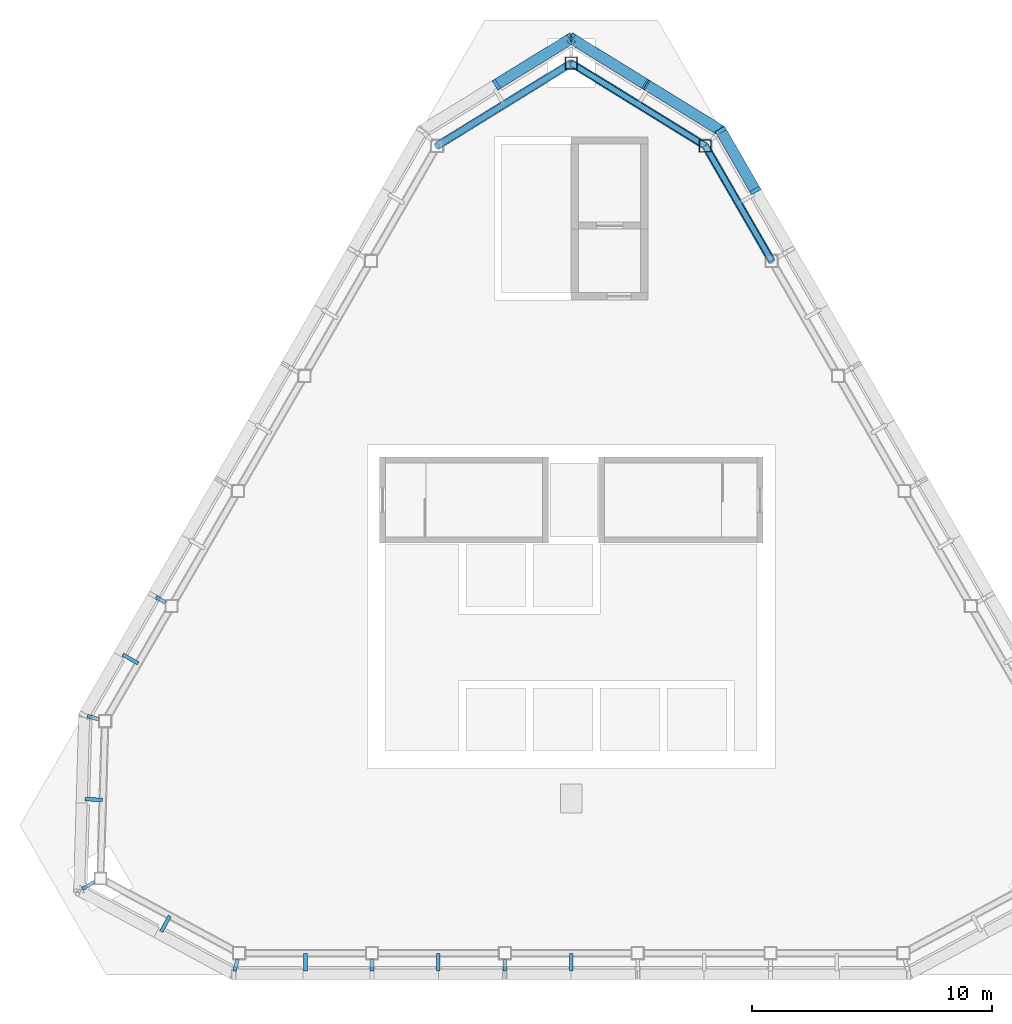
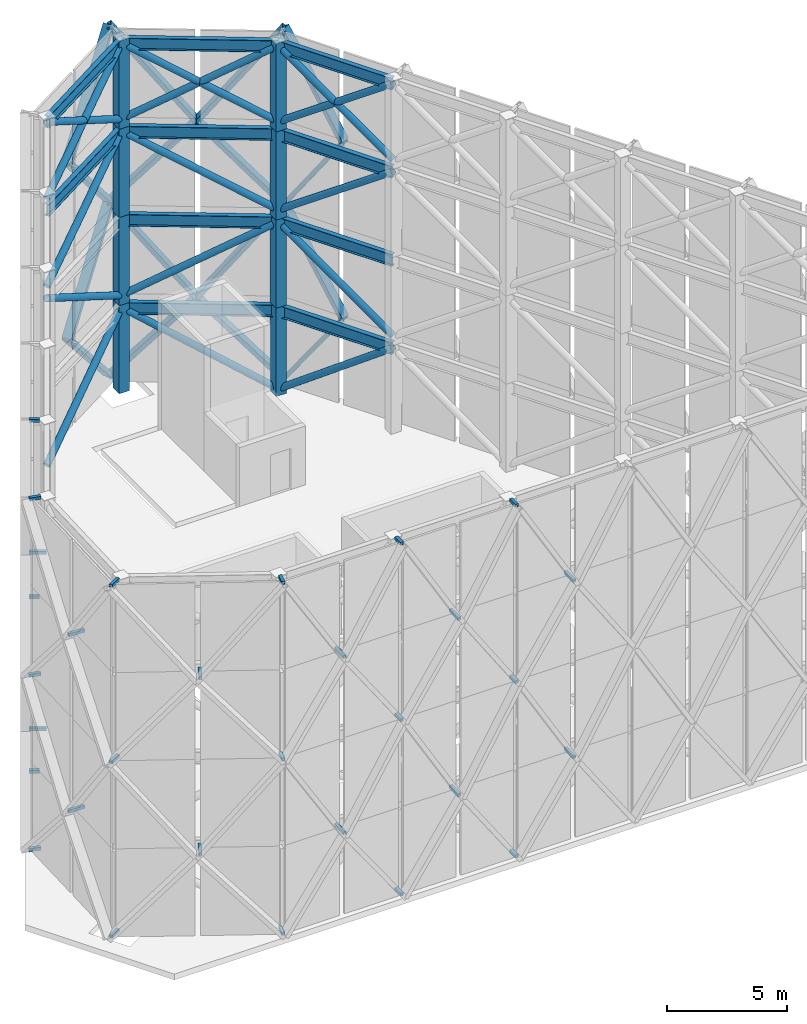
# One storey, part 6 of 12: 69 members, 10 beams.
"""IFC4 building model written with IfcOpenShell, lengths in metres."""

from ifc_helpers import new_model, si_unit, direction, frame, origin, origin_2d, place, context, subcontext, project, spatial, hollow_rectangle, hollow_circle, i_section, extrude, material, material_profile, profile_set, type_object, element, save


model = new_model("IFC4")

# Units and contexts
model_context = context("Model", 3, precision=1e-05, world=origin(), true_north=direction((0.0, 1.0)))
body_context = subcontext(model_context, "Body", "Model", "MODEL_VIEW")
ifc_project = project(units=[si_unit("LENGTHUNIT", "METRE"), si_unit("AREAUNIT", "SQUARE_METRE"), si_unit("VOLUMEUNIT", "CUBIC_METRE"), si_unit("PLANEANGLEUNIT", "RADIAN"), si_unit("MASSUNIT", "GRAM", prefix="KILO")], contexts=[model_context])

# Site, building, storey
site_placement = place(None, origin())
site = spatial("IfcSite", under=ifc_project, at=site_placement, CompositionType="ELEMENT")
building_placement = place(site_placement, origin())
building = spatial("IfcBuilding", under=site, at=building_placement, Name="Firuza Gate Tower and Library", CompositionType="ELEMENT")
storey_placement = place(building_placement, frame((0.0, 0.0, 339.60009765625)))
storey = spatial("IfcBuildingStorey", under=building, at=storey_placement, Name="Roof", CompositionType="ELEMENT", Elevation=339.60009765625)

# Members
ifc_material_1 = material(Name="Steel S355", Category="steel")
ifc_material_profile_1 = material_profile(ifc_material_1, hollow_rectangle(XDim=0.457275390625, YDim=0.203125, WallThickness=0.01171875, at=origin_2d()))
ifc_profile_set_1 = profile_set([ifc_material_profile_1], Name="Steel S355")
member_type_1 = type_object("IfcMemberType", Name="Crown lattice bar HSS203x457x13", PredefinedType="BRACE", material=ifc_profile_set_1)
member_1_placement = place(storey_placement, frame((82.68310546875, 92.364501953125, 4.198486328125), z_axis=(-0.287622027122, 0.498161545874, -0.817990613471), x_axis=(-0.866019137337, -0.500010853648, 0.0)))
element("IfcMember", 1, at=member_1_placement, inside=storey, type_object=member_type_1, Name="Crown lattice bar 14.1b", PredefinedType="BRACE", context=body_context, shape_type="SweptSolid", body=[
    extrude(hollow_rectangle(XDim=0.457275390625, YDim=0.203125, WallThickness=0.01171875, at=origin_2d()), origin(), (0.0, 0.0, 1.0), 5.010498046875),
])
member_2_placement = place(storey_placement, frame((82.68310546875, 92.364501953125, 4.198486328125), z_axis=(-0.257342311156, 0.445717057303, 0.85738628384), x_axis=(-0.866019137337, -0.500010853648, 0.0)))
element("IfcMember", 2, at=member_2_placement, inside=storey, type_object=member_type_1, Name="Crown lattice bar 14.2b", PredefinedType="BRACE", context=body_context, shape_type="SweptSolid", body=[
    extrude(hollow_rectangle(XDim=0.457275390625, YDim=0.203125, WallThickness=0.01171875, at=origin_2d()), origin(), (0.0, 0.0, 1.0), 5.60009765625),
])
member_3_placement = place(storey_placement, frame((82.68310546875, 92.364501953125, 13.198486328125), z_axis=(-0.282990630091, 0.490139963079, -0.82442654001), x_axis=(-0.866019137337, -0.500010853648, 0.0)))
element("IfcMember", 3, at=member_3_placement, inside=storey, type_object=member_type_1, Name="Crown lattice bar 14.3b", PredefinedType="BRACE", context=body_context, shape_type="SweptSolid", body=[
    extrude(hollow_rectangle(XDim=0.457275390625, YDim=0.203125, WallThickness=0.01171875, at=origin_2d()), origin(), (0.0, 0.0, 1.0), 5.092529296875),
])
member_4_placement = place(storey_placement, frame((82.68310546875, 92.364501953125, 13.198486328125), z_axis=(-0.257342311156, 0.445717057303, 0.85738628384), x_axis=(-0.866019137337, -0.500010853648, 0.0)))
element("IfcMember", 4, at=member_4_placement, inside=storey, type_object=member_type_1, Name="Crown lattice bar 14.4b", PredefinedType="BRACE", context=body_context, shape_type="SweptSolid", body=[
    extrude(hollow_rectangle(XDim=0.457275390625, YDim=0.203125, WallThickness=0.01171875, at=origin_2d()), origin(), (0.0, 0.0, 1.0), 5.60009765625),
])
for number, where, z_axis, x_axis, name in (
    (5, (81.241943359375, 94.860595703125, 0.099853515625), (-0.567454152769, 0.350158676136, 0.745241360924), (-0.525137077741, -0.85101765527, 0.0), "Crown lattice bar 15.1a"),
    (6, (78.12109375, 96.786376953125, 4.198486328125), (-0.567493068934, 0.350110906968, -0.745234170938), (-0.525059110087, -0.851065761804, 0.0), "Crown lattice bar 15.1b"),
):
    element("IfcMember", number, at=place(storey_placement, frame(where, z_axis=z_axis, x_axis=x_axis)), inside=storey, type_object=member_type_1, Name=name, PredefinedType="BRACE", context=body_context, shape_type="SweptSolid", body=[
        extrude(hollow_rectangle(XDim=0.457275390625, YDim=0.203125, WallThickness=0.01171875, at=origin_2d()), origin(), (0.0, 0.0, 1.0), 5.499755859375),
    ])
for number, where, z_axis, x_axis, name in (
    (7, (81.241943359375, 94.860595703125, 9.0), (-0.516546400492, 0.318745052576, -0.794720962097), (-0.525137077741, -0.85101765527, 0.0), "Crown lattice bar 15.2a"),
    (8, (78.12109375, 96.786376953125, 4.198486328125), (-0.516582679514, 0.318702095848, 0.79471460873), (-0.525059110087, -0.851065761804, 0.0), "Crown lattice bar 15.2b"),
):
    element("IfcMember", number, at=place(storey_placement, frame(where, z_axis=z_axis, x_axis=x_axis)), inside=storey, type_object=member_type_1, Name=name, PredefinedType="BRACE", context=body_context, shape_type="SweptSolid", body=[
        extrude(hollow_rectangle(XDim=0.457275390625, YDim=0.203125, WallThickness=0.01171875, at=origin_2d()), origin(), (0.0, 0.0, 1.0), 6.041748046875),
    ])
member_5_placement = place(storey_placement, frame((81.241943359375, 94.860595703125, 9.0), z_axis=(-0.559838701503, 0.345459413084, 0.753152323379), x_axis=(-0.525137077741, -0.85101765527, 0.0)))
element("IfcMember", 9, at=member_5_placement, inside=storey, type_object=member_type_1, Name="Crown lattice bar 15.3a", PredefinedType="BRACE", context=body_context, shape_type="SweptSolid", body=[
    extrude(hollow_rectangle(XDim=0.457275390625, YDim=0.203125, WallThickness=0.01171875, at=origin_2d()), origin(), (0.0, 0.0, 1.0), 5.574462890625),
])
member_6_placement = place(storey_placement, frame((78.12109375, 96.786376953125, 13.198486328125), z_axis=(-0.559877239408, 0.345412373843, -0.753145250791), x_axis=(-0.525059110087, -0.851065761804, 0.0)))
element("IfcMember", 10, at=member_6_placement, inside=storey, type_object=member_type_1, Name="Crown lattice bar 15.3b", PredefinedType="BRACE", context=body_context, shape_type="SweptSolid", body=[
    extrude(hollow_rectangle(XDim=0.457275390625, YDim=0.203125, WallThickness=0.01171875, at=origin_2d()), origin(), (0.0, 0.0, 1.0), 5.57470703125),
])
for number, where, z_axis, x_axis, name in (
    (11, (81.241943359375, 94.860595703125, 18.0), (-0.516546400492, 0.318745052576, -0.794720962097), (-0.525137077741, -0.85101765527, 0.0), "Crown lattice bar 15.4a"),
    (12, (78.12109375, 96.786376953125, 13.198486328125), (-0.516582679514, 0.318702095848, 0.79471460873), (-0.525059110087, -0.851065761804, 0.0), "Crown lattice bar 15.4b"),
):
    element("IfcMember", number, at=place(storey_placement, frame(where, z_axis=z_axis, x_axis=x_axis)), inside=storey, type_object=member_type_1, Name=name, PredefinedType="BRACE", context=body_context, shape_type="SweptSolid", body=[
        extrude(hollow_rectangle(XDim=0.457275390625, YDim=0.203125, WallThickness=0.01171875, at=origin_2d()), origin(), (0.0, 0.0, 1.0), 6.041748046875),
    ])
member_7_placement = place(storey_placement, frame((75.0, 98.7119140625, 0.099853515625), z_axis=(-0.567493068934, -0.350110906968, 0.745234170938), x_axis=(0.525059110087, -0.851065761804, 0.0)))
element("IfcMember", 13, at=member_7_placement, inside=storey, type_object=member_type_1, Name="Crown lattice bar 16.1a", PredefinedType="BRACE", context=body_context, shape_type="SweptSolid", body=[
    extrude(hollow_rectangle(XDim=0.457275390625, YDim=0.203125, WallThickness=0.01171875, at=origin_2d()), origin(), (0.0, 0.0, 1.0), 5.499755859375),
])
member_8_placement = place(storey_placement, frame((75.0, 98.7119140625, 9.0), z_axis=(-0.516582679514, -0.318702095848, -0.79471460873), x_axis=(0.525059110087, -0.851065761804, 0.0)))
element("IfcMember", 14, at=member_8_placement, inside=storey, type_object=member_type_1, Name="Crown lattice bar 16.2a", PredefinedType="BRACE", context=body_context, shape_type="SweptSolid", body=[
    extrude(hollow_rectangle(XDim=0.457275390625, YDim=0.203125, WallThickness=0.01171875, at=origin_2d()), origin(), (0.0, 0.0, 1.0), 6.041748046875),
])
member_9_placement = place(storey_placement, frame((75.0, 98.7119140625, 9.0), z_axis=(-0.559877239408, -0.345412373843, 0.753145250791), x_axis=(0.525059110087, -0.851065761804, 0.0)))
element("IfcMember", 15, at=member_9_placement, inside=storey, type_object=member_type_1, Name="Crown lattice bar 16.3a", PredefinedType="BRACE", context=body_context, shape_type="SweptSolid", body=[
    extrude(hollow_rectangle(XDim=0.457275390625, YDim=0.203125, WallThickness=0.01171875, at=origin_2d()), origin(), (0.0, 0.0, 1.0), 5.57470703125),
])
member_10_placement = place(storey_placement, frame((75.0, 98.7119140625, 18.0), z_axis=(-0.516582679514, -0.318702095848, -0.79471460873), x_axis=(0.525059110087, -0.851065761804, 0.0)))
element("IfcMember", 16, at=member_10_placement, inside=storey, type_object=member_type_1, Name="Crown lattice bar 16.4a", PredefinedType="BRACE", context=body_context, shape_type="SweptSolid", body=[
    extrude(hollow_rectangle(XDim=0.457275390625, YDim=0.203125, WallThickness=0.01171875, at=origin_2d()), origin(), (0.0, 0.0, 1.0), 6.041748046875),
])
ifc_material_2 = material(Name="Steel S355", Category="steel")
ifc_material_profile_2 = material_profile(ifc_material_2, hollow_rectangle(XDim=0.15234375, YDim=0.15234375, WallThickness=0.0087890625, at=origin_2d()))
ifc_profile_set_2 = profile_set([ifc_material_profile_2], Name="Steel S355")
member_type_2 = type_object("IfcMemberType", Name="Crown lattice node stub HSS152x152x9.5", PredefinedType="BRACE", material=ifc_profile_set_2)
for number, where, z_axis, x_axis, name in (
    (17, (55.296875, 70.30029296875, 0.099853515625), (-0.96211834795, 0.272632141426, 0.0), (-0.272632141426, -0.96211834795, 0.0), "Crown lattice node stub 1.0"),
    (18, (55.296875, 70.30029296875, 9.0), (-0.96211834795, 0.272632141426, 0.0), (-0.272632141426, -0.96211834795, 0.0), "Crown lattice node stub 1.2"),
    (19, (55.296875, 70.30029296875, 18.0), (-0.96211834795, 0.272632141426, 0.0), (-0.272632141426, -0.96211834795, 0.0), "Crown lattice node stub 1.4"),
):
    element("IfcMember", number, at=place(storey_placement, frame(where, z_axis=z_axis, x_axis=x_axis)), inside=storey, type_object=member_type_2, Name=name, PredefinedType="BRACE", context=body_context, shape_type="SweptSolid", body=[
        extrude(hollow_rectangle(XDim=0.15234375, YDim=0.15234375, WallThickness=0.0087890625, at=origin_2d()), origin(), (0.0, 0.0, 1.0), 0.509521484375),
    ])
for number, where, z_axis, x_axis, name in (
    (20, (55.44873046875, 66.9443359375, 4.198486328125), (-0.999573408448, 0.029206182978, 0.0), (-0.029206182978, -0.999573408448, 0.0), "Crown lattice node stub 1.1m"),
    (21, (55.44873046875, 66.9443359375, 13.198486328125), (-0.999573408448, 0.029206182978, 0.0), (-0.029206182978, -0.999573408448, 0.0), "Crown lattice node stub 1.3m"),
):
    element("IfcMember", number, at=place(storey_placement, frame(where, z_axis=z_axis, x_axis=x_axis)), inside=storey, type_object=member_type_2, Name=name, PredefinedType="BRACE", context=body_context, shape_type="SweptSolid", body=[
        extrude(hollow_rectangle(XDim=0.15234375, YDim=0.15234375, WallThickness=0.0087890625, at=origin_2d()), origin(), (0.0, 0.0, 1.0), 0.743896484375),
    ])
for number, where, z_axis, x_axis, name in (
    (22, (55.104736328125, 63.513427734375, 0.099853515625), (-0.865984991198, -0.500069990121, 0.0), (0.500069990121, -0.865984991198, 0.0), "Crown lattice node stub 2.0"),
    (23, (55.104736328125, 63.513427734375, 9.0), (-0.865984991198, -0.500069990121, 0.0), (0.500069990121, -0.865984991198, 0.0), "Crown lattice node stub 2.2"),
    (24, (55.104736328125, 63.513427734375, 18.0), (-0.865984991198, -0.500069990121, 0.0), (0.500069990121, -0.865984991198, 0.0), "Crown lattice node stub 2.4"),
):
    element("IfcMember", number, at=place(storey_placement, frame(where, z_axis=z_axis, x_axis=x_axis)), inside=storey, type_object=member_type_2, Name=name, PredefinedType="BRACE", context=body_context, shape_type="SweptSolid", body=[
        extrude(hollow_rectangle(XDim=0.15234375, YDim=0.15234375, WallThickness=0.0087890625, at=origin_2d()), origin(), (0.0, 0.0, 1.0), 0.587890625),
    ])
for number, where, z_axis, x_axis, name in (
    (25, (58.248046875, 62.095947265625, 4.198486328125), (-0.474569465347, -0.880218053984, 0.0), (0.880218053984, -0.474569465347, 0.0), "Crown lattice node stub 2.1m"),
    (26, (58.248046875, 62.095947265625, 13.198486328125), (-0.474569465347, -0.880218053984, 0.0), (0.880218053984, -0.474569465347, 0.0), "Crown lattice node stub 2.3m"),
):
    element("IfcMember", number, at=place(storey_placement, frame(where, z_axis=z_axis, x_axis=x_axis)), inside=storey, type_object=member_type_2, Name=name, PredefinedType="BRACE", context=body_context, shape_type="SweptSolid", body=[
        extrude(hollow_rectangle(XDim=0.15234375, YDim=0.15234375, WallThickness=0.0087890625, at=origin_2d()), origin(), (0.0, 0.0, 1.0), 0.743896484375),
    ])
for number, where, z_axis, x_axis, name in (
    (27, (61.078857421875, 60.28857421875, 0.099853515625), (-0.24478040972, -0.969578542985, 0.0), (0.969578542985, -0.24478040972, 0.0), "Crown lattice node stub 3.0"),
    (28, (61.078857421875, 60.28857421875, 9.0), (-0.24478040972, -0.969578542985, 0.0), (0.969578542985, -0.24478040972, 0.0), "Crown lattice node stub 3.2"),
    (29, (61.078857421875, 60.28857421875, 18.0), (-0.24478040972, -0.969578542985, 0.0), (0.969578542985, -0.24478040972, 0.0), "Crown lattice node stub 3.4"),
):
    element("IfcMember", number, at=place(storey_placement, frame(where, z_axis=z_axis, x_axis=x_axis)), inside=storey, type_object=member_type_2, Name=name, PredefinedType="BRACE", context=body_context, shape_type="SweptSolid", body=[
        extrude(hollow_rectangle(XDim=0.15234375, YDim=0.15234375, WallThickness=0.0087890625, at=origin_2d()), origin(), (0.0, 0.0, 1.0), 0.51171875),
    ])
for number, where, z_axis, x_axis, name in (
    (30, (63.914306640625, 60.536376953125, 4.198486328125), (0.0, -1.0, 0.0), (1.0, 0.0, 0.0), "Crown lattice node stub 3.1m"),
    (31, (63.914306640625, 60.536376953125, 13.198486328125), (0.0, -1.0, 0.0), (1.0, 0.0, 0.0), "Crown lattice node stub 3.3m"),
):
    element("IfcMember", number, at=place(storey_placement, frame(where, z_axis=z_axis, x_axis=x_axis)), inside=storey, type_object=member_type_2, Name=name, PredefinedType="BRACE", context=body_context, shape_type="SweptSolid", body=[
        extrude(hollow_rectangle(XDim=0.15234375, YDim=0.15234375, WallThickness=0.0087890625, at=origin_2d()), origin(), (0.0, 0.0, 1.0), 0.743896484375),
    ])
for number, where, z_axis, x_axis, name in (
    (32, (66.685791015625, 60.28857421875, 0.099853515625), (0.0, -1.0, 0.0), (1.0, 0.0, 0.0), "Crown lattice node stub 4.0"),
    (33, (66.685791015625, 60.28857421875, 9.0), (0.0, -1.0, 0.0), (1.0, 0.0, 0.0), "Crown lattice node stub 4.2"),
    (34, (66.685791015625, 60.28857421875, 18.0), (0.0, -1.0, 0.0), (1.0, 0.0, 0.0), "Crown lattice node stub 4.4"),
):
    element("IfcMember", number, at=place(storey_placement, frame(where, z_axis=z_axis, x_axis=x_axis)), inside=storey, type_object=member_type_2, Name=name, PredefinedType="BRACE", context=body_context, shape_type="SweptSolid", body=[
        extrude(hollow_rectangle(XDim=0.15234375, YDim=0.15234375, WallThickness=0.0087890625, at=origin_2d()), origin(), (0.0, 0.0, 1.0), 0.49609375),
    ])
for number, where, z_axis, x_axis, name in (
    (35, (69.45703125, 60.536376953125, 4.198486328125), (0.0, -1.0, 0.0), (1.0, 0.0, 0.0), "Crown lattice node stub 4.1m"),
    (36, (69.45703125, 60.536376953125, 13.198486328125), (0.0, -1.0, 0.0), (1.0, 0.0, 0.0), "Crown lattice node stub 4.3m"),
):
    element("IfcMember", number, at=place(storey_placement, frame(where, z_axis=z_axis, x_axis=x_axis)), inside=storey, type_object=member_type_2, Name=name, PredefinedType="BRACE", context=body_context, shape_type="SweptSolid", body=[
        extrude(hollow_rectangle(XDim=0.15234375, YDim=0.15234375, WallThickness=0.0087890625, at=origin_2d()), origin(), (0.0, 0.0, 1.0), 0.743896484375),
    ])
for number, where, z_axis, x_axis, name in (
    (37, (72.228515625, 60.28857421875, 0.099853515625), (0.0, -1.0, 0.0), (1.0, 0.0, 0.0), "Crown lattice node stub 5.0"),
    (38, (72.228515625, 60.28857421875, 9.0), (0.0, -1.0, 0.0), (1.0, 0.0, 0.0), "Crown lattice node stub 5.2"),
    (39, (72.228515625, 60.28857421875, 18.0), (0.0, -1.0, 0.0), (1.0, 0.0, 0.0), "Crown lattice node stub 5.4"),
):
    element("IfcMember", number, at=place(storey_placement, frame(where, z_axis=z_axis, x_axis=x_axis)), inside=storey, type_object=member_type_2, Name=name, PredefinedType="BRACE", context=body_context, shape_type="SweptSolid", body=[
        extrude(hollow_rectangle(XDim=0.15234375, YDim=0.15234375, WallThickness=0.0087890625, at=origin_2d()), origin(), (0.0, 0.0, 1.0), 0.49609375),
    ])
for number, where, z_axis, x_axis, name in (
    (40, (75.0, 60.536376953125, 4.198486328125), (0.0, -1.0, 0.0), (1.0, 0.0, 0.0), "Crown lattice node stub 5.1m"),
    (41, (75.0, 60.536376953125, 13.198486328125), (0.0, -1.0, 0.0), (1.0, 0.0, 0.0), "Crown lattice node stub 5.3m"),
):
    element("IfcMember", number, at=place(storey_placement, frame(where, z_axis=z_axis, x_axis=x_axis)), inside=storey, type_object=member_type_2, Name=name, PredefinedType="BRACE", context=body_context, shape_type="SweptSolid", body=[
        extrude(hollow_rectangle(XDim=0.15234375, YDim=0.15234375, WallThickness=0.0087890625, at=origin_2d()), origin(), (0.0, 0.0, 1.0), 0.743896484375),
    ])
for number, where, z_axis, x_axis, name in (
    (42, (58.068359375, 75.175048828125, 0.099853515625), (-0.86609656662, 0.499876722092, 0.0), (-0.499876722092, -0.86609656662, 0.0), "Crown lattice node stub 21.0"),
    (43, (58.068359375, 75.175048828125, 9.0), (-0.86609656662, 0.499876722092, 0.0), (-0.499876722092, -0.86609656662, 0.0), "Crown lattice node stub 21.2"),
    (44, (58.068359375, 75.175048828125, 18.0), (-0.86609656662, 0.499876722092, 0.0), (-0.499876722092, -0.86609656662, 0.0), "Crown lattice node stub 21.4"),
):
    element("IfcMember", number, at=place(storey_placement, frame(where, z_axis=z_axis, x_axis=x_axis)), inside=storey, type_object=member_type_2, Name=name, PredefinedType="BRACE", context=body_context, shape_type="SweptSolid", body=[
        extrude(hollow_rectangle(XDim=0.15234375, YDim=0.15234375, WallThickness=0.0087890625, at=origin_2d()), origin(), (0.0, 0.0, 1.0), 0.45654296875),
    ])
for number, where, z_axis, x_axis, name in (
    (45, (56.931396484375, 72.63134765625, 4.198486328125), (-0.866114546653, 0.499845568227, 0.0), (-0.499845568227, -0.866114546653, 0.0), "Crown lattice node stub 21.1m"),
    (46, (56.931396484375, 72.63134765625, 13.198486328125), (-0.866114546653, 0.499845568227, 0.0), (-0.499845568227, -0.866114546653, 0.0), "Crown lattice node stub 21.3m"),
):
    element("IfcMember", number, at=place(storey_placement, frame(where, z_axis=z_axis, x_axis=x_axis)), inside=storey, type_object=member_type_2, Name=name, PredefinedType="BRACE", context=body_context, shape_type="SweptSolid", body=[
        extrude(hollow_rectangle(XDim=0.15234375, YDim=0.15234375, WallThickness=0.0087890625, at=origin_2d()), origin(), (0.0, 0.0, 1.0), 0.743896484375),
    ])
ifc_material_3 = material(Name="Steel S355", Category="steel")
ifc_material_profile_3 = material_profile(ifc_material_3, hollow_circle(Radius=0.161865234375, WallThickness=0.01171875, at=origin_2d()))
ifc_profile_set_3 = profile_set([ifc_material_profile_3], Name="Steel S355")
member_type_3 = type_object("IfcMemberType", Name="HSS324x13 CROWN FRAME brace", PredefinedType="BRACE", material=ifc_profile_set_3)
member_11_placement = place(storey_placement, frame((80.592041015625, 94.2294921875, 0.161865234375), z_axis=(0.40418408875, -0.700058804881, 0.588687431589), x_axis=(0.86602275259, 0.500004591975, 0.0)))
element("IfcMember", 47, at=member_11_placement, inside=storey, type_object=member_type_3, Name="CROWN FRAME brace tier 1 14", PredefinedType="BRACE", context=body_context, shape_type="SweptSolid", body=[
    extrude(hollow_circle(Radius=0.161865234375, WallThickness=0.01171875, at=origin_2d()), origin(), (0.0, 0.0, 1.0), 6.85693359375),
])
for number, where, z_axis, x_axis, name in (
    (48, (80.592041015625, 94.2294921875, 0.161865234375), (-0.725144800335, 0.447402153169, 0.523446589336), (-0.525083851776, -0.851050497094, 0.0), "CROWN FRAME brace tier 1 15"),
    (49, (69.407958984375, 94.2294921875, 0.161865234375), (0.725144800335, 0.447402153169, 0.523446589336), (-0.525083851776, 0.851050497094, 0.0), "CROWN FRAME brace tier 1 16"),
):
    element("IfcMember", number, at=place(storey_placement, frame(where, z_axis=z_axis, x_axis=x_axis)), inside=storey, type_object=member_type_3, Name=name, PredefinedType="BRACE", context=body_context, shape_type="SweptSolid", body=[
        extrude(hollow_circle(Radius=0.161865234375, WallThickness=0.01171875, at=origin_2d()), origin(), (0.0, 0.0, 1.0), 7.711669921875),
    ])
member_12_placement = place(storey_placement, frame((83.363525390625, 89.42919921875, 4.801513671875), z_axis=(-0.409031926637, 0.708455403588, 0.575138091347), x_axis=(-0.86602275259, -0.500004591975, 0.0)))
element("IfcMember", 50, at=member_12_placement, inside=storey, type_object=member_type_3, Name="CROWN FRAME brace tier 2 14", PredefinedType="BRACE", context=body_context, shape_type="SweptSolid", body=[
    extrude(hollow_circle(Radius=0.161865234375, WallThickness=0.01171875, at=origin_2d()), origin(), (0.0, 0.0, 1.0), 6.775634765625),
])
for number, where, z_axis, x_axis, name in (
    (51, (75.0, 97.6796875, 4.801513671875), (0.731995425468, -0.451628873727, 0.510111808833), (0.525083851776, 0.851050497094, 0.0), "CROWN FRAME brace tier 2 15"),
    (52, (75.0, 97.6796875, 4.801513671875), (-0.731995425468, -0.451628873727, 0.510111808833), (0.525083851776, -0.851050497094, 0.0), "CROWN FRAME brace tier 2 16"),
):
    element("IfcMember", number, at=place(storey_placement, frame(where, z_axis=z_axis, x_axis=x_axis)), inside=storey, type_object=member_type_3, Name=name, PredefinedType="BRACE", context=body_context, shape_type="SweptSolid", body=[
        extrude(hollow_circle(Radius=0.161865234375, WallThickness=0.01171875, at=origin_2d()), origin(), (0.0, 0.0, 1.0), 7.639404296875),
    ])
member_13_placement = place(storey_placement, frame((80.592041015625, 94.2294921875, 9.301513671875), z_axis=(0.409031926637, -0.708455403588, 0.575138091347), x_axis=(0.86602275259, 0.500004591975, 0.0)))
element("IfcMember", 53, at=member_13_placement, inside=storey, type_object=member_type_3, Name="CROWN FRAME brace tier 3 14", PredefinedType="BRACE", context=body_context, shape_type="SweptSolid", body=[
    extrude(hollow_circle(Radius=0.161865234375, WallThickness=0.01171875, at=origin_2d()), origin(), (0.0, 0.0, 1.0), 6.775634765625),
])
for number, where, z_axis, x_axis, name in (
    (54, (80.592041015625, 94.2294921875, 9.301513671875), (-0.731995425468, 0.451628873727, 0.510111808833), (-0.525083851776, -0.851050497094, 0.0), "CROWN FRAME brace tier 3 15"),
    (55, (69.407958984375, 94.2294921875, 9.301513671875), (0.731995425468, 0.451628873727, 0.510111808833), (-0.525083851776, 0.851050497094, 0.0), "CROWN FRAME brace tier 3 16"),
):
    element("IfcMember", number, at=place(storey_placement, frame(where, z_axis=z_axis, x_axis=x_axis)), inside=storey, type_object=member_type_3, Name=name, PredefinedType="BRACE", context=body_context, shape_type="SweptSolid", body=[
        extrude(hollow_circle(Radius=0.161865234375, WallThickness=0.01171875, at=origin_2d()), origin(), (0.0, 0.0, 1.0), 7.639404296875),
    ])
for number, where, z_axis, x_axis, name in (
    (56, (83.363525390625, 89.42919921875, 13.801513671875), (-0.409031926637, 0.708455403588, 0.575138091347), (-0.86602275259, -0.500004591975, 0.0), "CROWN FRAME brace tier 4 14"),
    (57, (80.592041015625, 94.2294921875, 13.801513671875), (0.409031926637, -0.708455403588, 0.575138091347), (0.86602275259, 0.500004591975, 0.0), "CROWN FRAME counter brace tier 4 14"),
):
    element("IfcMember", number, at=place(storey_placement, frame(where, z_axis=z_axis, x_axis=x_axis)), inside=storey, type_object=member_type_3, Name=name, PredefinedType="BRACE", context=body_context, shape_type="SweptSolid", body=[
        extrude(hollow_circle(Radius=0.161865234375, WallThickness=0.01171875, at=origin_2d()), origin(), (0.0, 0.0, 1.0), 6.775634765625),
    ])
for number, where, z_axis, x_axis, name in (
    (58, (75.0, 97.6796875, 13.801513671875), (0.731995425468, -0.451628873727, 0.510111808833), (0.525083851776, 0.851050497094, 0.0), "CROWN FRAME brace tier 4 15"),
    (59, (80.592041015625, 94.2294921875, 13.801513671875), (-0.731995425468, 0.451628873727, 0.510111808833), (-0.525083851776, -0.851050497094, 0.0), "CROWN FRAME counter brace tier 4 15"),
    (60, (75.0, 97.6796875, 13.801513671875), (-0.731995425468, -0.451628873727, 0.510111808833), (0.525083851776, -0.851050497094, 0.0), "CROWN FRAME brace tier 4 16"),
    (61, (69.407958984375, 94.2294921875, 13.801513671875), (0.731995425468, 0.451628873727, 0.510111808833), (-0.525083851776, 0.851050497094, 0.0), "CROWN FRAME counter brace tier 4 16"),
):
    element("IfcMember", number, at=place(storey_placement, frame(where, z_axis=z_axis, x_axis=x_axis)), inside=storey, type_object=member_type_3, Name=name, PredefinedType="BRACE", context=body_context, shape_type="SweptSolid", body=[
        extrude(hollow_circle(Radius=0.161865234375, WallThickness=0.01171875, at=origin_2d()), origin(), (0.0, 0.0, 1.0), 7.639404296875),
    ])
ifc_material_4 = material(Name="Steel S355", Category="steel")
ifc_material_profile_4 = material_profile(ifc_material_4, hollow_rectangle(XDim=0.508056640625, YDim=0.508056640625, WallThickness=0.014892578125, at=origin_2d()))
ifc_profile_set_4 = profile_set([ifc_material_profile_4], Name="Steel S355")
member_type_4 = type_object("IfcMemberType", Name="HSS508x508x16 CROWN FRAME post", PredefinedType="POST", material=ifc_profile_set_4)
member_14_placement = place(storey_placement, frame((80.592041015625, 94.2294921875, -0.00048828125), z_axis=(0.0, 0.0, 1.0), x_axis=(1.0, 0.0, 0.0)))
element("IfcMember", 62, at=member_14_placement, inside=storey, type_object=member_type_4, Name="CROWN FRAME post E6 tier 1", PredefinedType="POST", context=body_context, shape_type="SweptSolid", body=[
    extrude(hollow_rectangle(XDim=0.508056640625, YDim=0.508056640625, WallThickness=0.014892578125, at=origin_2d()), origin(), (0.0, 0.0, 1.0), 4.50048828125),
])
for number, where, z_axis, x_axis, name in (
    (63, (80.592041015625, 94.2294921875, 4.5), (0.0, 0.0, 1.0), (1.0, 0.0, 0.0), "CROWN FRAME post E6 tier 2"),
    (64, (80.592041015625, 94.2294921875, 9.0), (0.0, 0.0, 1.0), (1.0, 0.0, 0.0), "CROWN FRAME post E6 tier 3"),
    (65, (80.592041015625, 94.2294921875, 13.5), (0.0, 0.0, 1.0), (1.0, 0.0, 0.0), "CROWN FRAME post E6 tier 4"),
):
    element("IfcMember", number, at=place(storey_placement, frame(where, z_axis=z_axis, x_axis=x_axis)), inside=storey, type_object=member_type_4, Name=name, PredefinedType="POST", context=body_context, shape_type="SweptSolid", body=[
        extrude(hollow_rectangle(XDim=0.508056640625, YDim=0.508056640625, WallThickness=0.014892578125, at=origin_2d()), origin(), (0.0, 0.0, 1.0), 4.5),
    ])
member_15_placement = place(storey_placement, frame((75.0, 97.6796875, -0.00048828125), z_axis=(0.0, 0.0, 1.0), x_axis=(1.0, 0.0, 0.0)))
element("IfcMember", 66, at=member_15_placement, inside=storey, type_object=member_type_4, Name="CROWN FRAME post mcN tier 1", PredefinedType="POST", context=body_context, shape_type="SweptSolid", body=[
    extrude(hollow_rectangle(XDim=0.508056640625, YDim=0.508056640625, WallThickness=0.014892578125, at=origin_2d()), origin(), (0.0, 0.0, 1.0), 4.50048828125),
])
for number, where, z_axis, x_axis, name in (
    (67, (75.0, 97.6796875, 4.5), (0.0, 0.0, 1.0), (1.0, 0.0, 0.0), "CROWN FRAME post mcN tier 2"),
    (68, (75.0, 97.6796875, 9.0), (0.0, 0.0, 1.0), (1.0, 0.0, 0.0), "CROWN FRAME post mcN tier 3"),
    (69, (75.0, 97.6796875, 13.5), (0.0, 0.0, 1.0), (1.0, 0.0, 0.0), "CROWN FRAME post mcN tier 4"),
):
    element("IfcMember", number, at=place(storey_placement, frame(where, z_axis=z_axis, x_axis=x_axis)), inside=storey, type_object=member_type_4, Name=name, PredefinedType="POST", context=body_context, shape_type="SweptSolid", body=[
        extrude(hollow_rectangle(XDim=0.508056640625, YDim=0.508056640625, WallThickness=0.014892578125, at=origin_2d()), origin(), (0.0, 0.0, 1.0), 4.5),
    ])

# Beams
ifc_material_5 = material(Name="Steel S355", Category="steel")
ifc_material_profile_5 = material_profile(ifc_material_5, i_section(OverallWidth=0.22802734375, OverallDepth=0.60302734375, WebThickness=0.010498046875, FlangeThickness=0.014892578125, at=origin_2d()))
ifc_profile_set_5 = profile_set([ifc_material_profile_5], Name="Steel S355")
beam_type = type_object("IfcBeamType", Name="W610x101 CROWN FRAME ring beam", PredefinedType="BEAM", material=ifc_profile_set_5)
beam_1_placement = place(storey_placement, frame((83.363525390625, 89.42919921875, 4.198486328125), z_axis=(-0.500004591975, 0.86602275259, 0.0), x_axis=(-0.86602275259, -0.500004591975, 0.0)))
element("IfcBeam", 70, at=beam_1_placement, inside=storey, type_object=beam_type, Name="CROWN FRAME ring beam tier 1 14", PredefinedType="BEAM", context=body_context, shape_type="SweptSolid", body=[
    extrude(i_section(OverallWidth=0.22802734375, OverallDepth=0.60302734375, WebThickness=0.010498046875, FlangeThickness=0.014892578125, at=origin_2d()), origin(), (0.0, 0.0, 1.0), 5.54296875),
])
beam_2_placement = place(storey_placement, frame((80.592041015625, 94.2294921875, 4.198486328125), z_axis=(-0.851050497094, 0.525083851776, 0.0), x_axis=(-0.525083851776, -0.851050497094, 0.0)))
element("IfcBeam", 71, at=beam_2_placement, inside=storey, type_object=beam_type, Name="CROWN FRAME ring beam tier 1 15", PredefinedType="BEAM", context=body_context, shape_type="SweptSolid", body=[
    extrude(i_section(OverallWidth=0.22802734375, OverallDepth=0.60302734375, WebThickness=0.010498046875, FlangeThickness=0.014892578125, at=origin_2d()), origin(), (0.0, 0.0, 1.0), 6.57080078125),
])
beam_3_placement = place(storey_placement, frame((83.363525390625, 89.42919921875, 8.698486328125), z_axis=(-0.500004591975, 0.86602275259, 0.0), x_axis=(-0.86602275259, -0.500004591975, 0.0)))
element("IfcBeam", 72, at=beam_3_placement, inside=storey, type_object=beam_type, Name="CROWN FRAME ring beam tier 2 14", PredefinedType="BEAM", context=body_context, shape_type="SweptSolid", body=[
    extrude(i_section(OverallWidth=0.22802734375, OverallDepth=0.60302734375, WebThickness=0.010498046875, FlangeThickness=0.014892578125, at=origin_2d()), origin(), (0.0, 0.0, 1.0), 5.54296875),
])
beam_4_placement = place(storey_placement, frame((80.592041015625, 94.2294921875, 8.698486328125), z_axis=(-0.851050497094, 0.525083851776, 0.0), x_axis=(-0.525083851776, -0.851050497094, 0.0)))
element("IfcBeam", 73, at=beam_4_placement, inside=storey, type_object=beam_type, Name="CROWN FRAME ring beam tier 2 15", PredefinedType="BEAM", context=body_context, shape_type="SweptSolid", body=[
    extrude(i_section(OverallWidth=0.22802734375, OverallDepth=0.60302734375, WebThickness=0.010498046875, FlangeThickness=0.014892578125, at=origin_2d()), origin(), (0.0, 0.0, 1.0), 6.57080078125),
])
beam_5_placement = place(storey_placement, frame((83.363525390625, 89.42919921875, 13.198486328125), z_axis=(-0.500004591975, 0.86602275259, 0.0), x_axis=(-0.86602275259, -0.500004591975, 0.0)))
element("IfcBeam", 74, at=beam_5_placement, inside=storey, type_object=beam_type, Name="CROWN FRAME ring beam tier 3 14", PredefinedType="BEAM", context=body_context, shape_type="SweptSolid", body=[
    extrude(i_section(OverallWidth=0.22802734375, OverallDepth=0.60302734375, WebThickness=0.010498046875, FlangeThickness=0.014892578125, at=origin_2d()), origin(), (0.0, 0.0, 1.0), 5.54296875),
])
for number, where, z_axis, x_axis, name in (
    (75, (80.592041015625, 94.2294921875, 13.198486328125), (-0.851050497094, 0.525083851776, 0.0), (-0.525083851776, -0.851050497094, 0.0), "CROWN FRAME ring beam tier 3 15"),
    (76, (75.0, 97.6796875, 13.198486328125), (-0.851050497094, -0.525083851776, 0.0), (0.525083851776, -0.851050497094, 0.0), "CROWN FRAME ring beam tier 3 16"),
):
    element("IfcBeam", number, at=place(storey_placement, frame(where, z_axis=z_axis, x_axis=x_axis)), inside=storey, type_object=beam_type, Name=name, PredefinedType="BEAM", context=body_context, shape_type="SweptSolid", body=[
        extrude(i_section(OverallWidth=0.22802734375, OverallDepth=0.60302734375, WebThickness=0.010498046875, FlangeThickness=0.014892578125, at=origin_2d()), origin(), (0.0, 0.0, 1.0), 6.57080078125),
    ])
beam_6_placement = place(storey_placement, frame((83.363525390625, 89.42919921875, 17.698486328125), z_axis=(-0.500004591975, 0.86602275259, 0.0), x_axis=(-0.86602275259, -0.500004591975, 0.0)))
element("IfcBeam", 77, at=beam_6_placement, inside=storey, type_object=beam_type, Name="CROWN FRAME ring beam tier 4 14", PredefinedType="BEAM", context=body_context, shape_type="SweptSolid", body=[
    extrude(i_section(OverallWidth=0.22802734375, OverallDepth=0.60302734375, WebThickness=0.010498046875, FlangeThickness=0.014892578125, at=origin_2d()), origin(), (0.0, 0.0, 1.0), 5.54296875),
])
for number, where, z_axis, x_axis, name in (
    (78, (80.592041015625, 94.2294921875, 17.698486328125), (-0.851050497094, 0.525083851776, 0.0), (-0.525083851776, -0.851050497094, 0.0), "CROWN FRAME ring beam tier 4 15"),
    (79, (75.0, 97.6796875, 17.698486328125), (-0.851050497094, -0.525083851776, 0.0), (0.525083851776, -0.851050497094, 0.0), "CROWN FRAME ring beam tier 4 16"),
):
    element("IfcBeam", number, at=place(storey_placement, frame(where, z_axis=z_axis, x_axis=x_axis)), inside=storey, type_object=beam_type, Name=name, PredefinedType="BEAM", context=body_context, shape_type="SweptSolid", body=[
        extrude(i_section(OverallWidth=0.22802734375, OverallDepth=0.60302734375, WebThickness=0.010498046875, FlangeThickness=0.014892578125, at=origin_2d()), origin(), (0.0, 0.0, 1.0), 6.57080078125),
    ])

save(model, "model.ifc")
